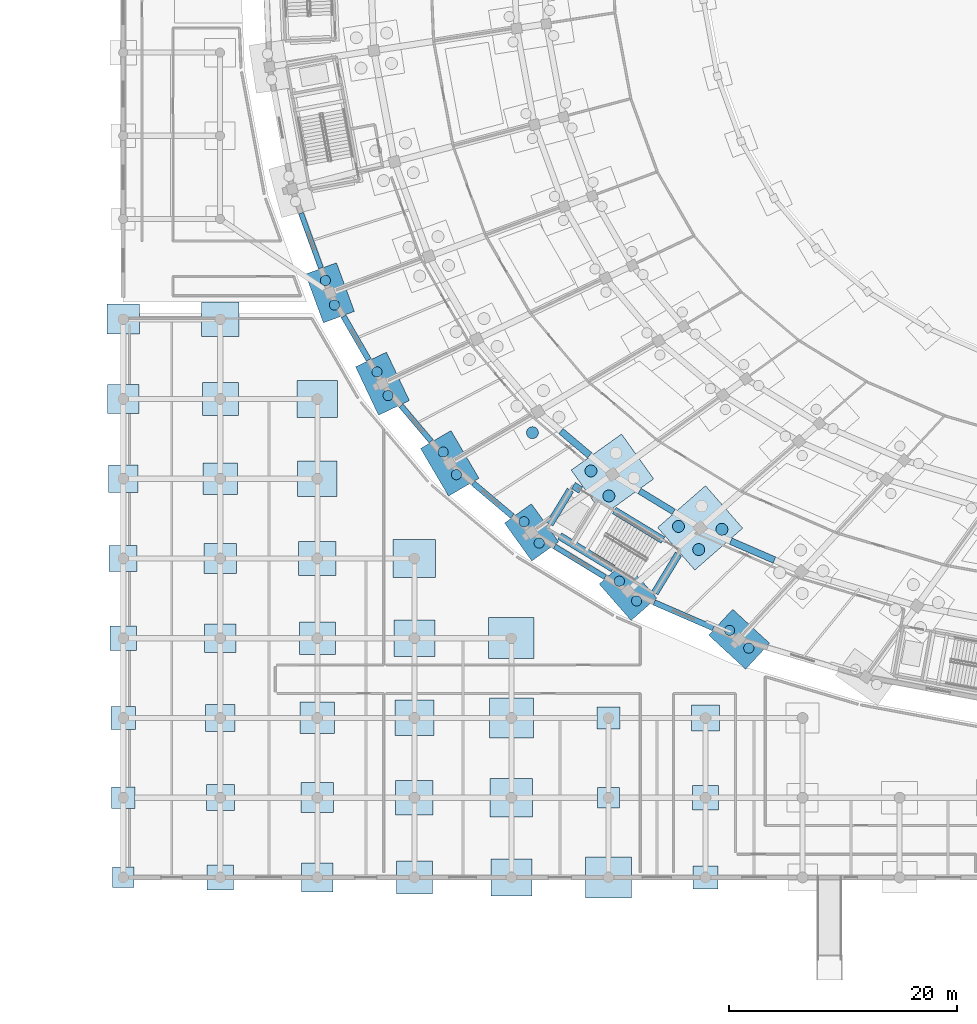
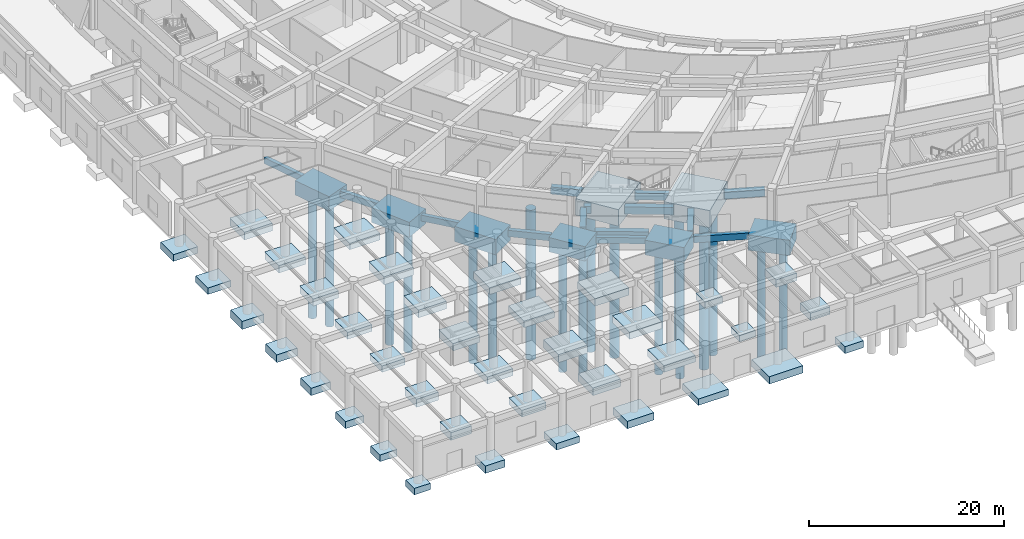
# One storey, part 1 of 88: 60 footings, 18 piles.
"""IFC4 building model written with IfcOpenShell, lengths in metres."""

import ifcopenshell
import ifcopenshell.guid

model = None  # the IFC model being written
_history = None  # IfcOwnerHistory: only IFC2X3 demands one
_inside = {}  # id of a spatial element -> (the spatial element, [elements in it])
_under = {}  # id of a project, library or spatial element -> (it, [spatial elements below it])
_declared = {}  # id of a project -> (the project, [libraries it declares])
_typed = {}  # id of a type object -> (the type object, [elements of that type])
_made_of = {}  # id of a material, layer set ... -> (it, [elements and type objects made of it])


def new_model(schema):
    """Start an empty IFC model of exactly this schema.

    Asked for "IFC4X3", IfcOpenShell would pick the latest addendum, in which some entities
    have other attributes; the version numbers below select the first issue.
    IFC2X3 requires an IfcOwnerHistory on every rooted entity: one is made here for all.
    """
    global model, _history
    if schema == "IFC4X3":
        model = ifcopenshell.file(schema_version=(4, 3, 0, 0))
    else:
        model = ifcopenshell.file(schema=schema)
    _inside.clear()
    _under.clear()
    _declared.clear()
    _typed.clear()
    _made_of.clear()
    _history = None
    if model.schema == "IFC2X3":
        org = make("IfcOrganization", Name="unknown")
        user = make(
            "IfcPersonAndOrganization",
            ThePerson=make("IfcPerson", FamilyName="unknown"),
            TheOrganization=org,
        )
        app = make(
            "IfcApplication",
            ApplicationDeveloper=org,
            Version="unknown",
            ApplicationFullName="unknown",
            ApplicationIdentifier="unknown",
        )
        _history = make(
            "IfcOwnerHistory",
            OwningUser=user,
            OwningApplication=app,
            ChangeAction="ADDED",
            CreationDate=0,
        )
    return model


def make(cls, **values):
    """One entity of the class cls with the attributes given. An attribute that is None is left unset."""
    return model.create_entity(
        cls, **{name: value for name, value in values.items() if value is not None}
    )


def rooted(cls, **values):
    """An entity with a GlobalId (a new one), such as an element, a storey or a relation."""
    return make(cls, GlobalId=ifcopenshell.guid.new(), OwnerHistory=_history, **values)


def si_unit(unit_type, name, prefix=None):
    """IfcSIUnit, for example si_unit("LENGTHUNIT", "METRE", prefix="MILLI")."""
    return make("IfcSIUnit", UnitType=unit_type, Prefix=prefix, Name=name)


def assignment(units):
    """IfcUnitAssignment: the units of a project."""
    return None if units is None else make("IfcUnitAssignment", Units=units)


def point(xyz):
    """IfcCartesianPoint."""
    return None if xyz is None else make("IfcCartesianPoint", Coordinates=xyz)


def direction(xyz):
    """IfcDirection."""
    return None if xyz is None else make("IfcDirection", DirectionRatios=xyz)


def frame(location, z_axis=None, x_axis=None):
    """IfcAxis2Placement3D, a coordinate frame: its origin and axes. An axis left out is left unset."""
    return make(
        "IfcAxis2Placement3D",
        Location=point(location),
        Axis=direction(z_axis),
        RefDirection=direction(x_axis),
    )


def frame_2d(location, x_axis=None):
    """IfcAxis2Placement2D, a coordinate frame in the plane: its origin and x axis."""
    return make(
        "IfcAxis2Placement2D", Location=point(location), RefDirection=direction(x_axis)
    )


def origin():
    """The frame at (0, 0, 0) with its axes left unset."""
    return frame((0.0, 0.0, 0.0))


def origin_2d():
    """The frame at (0, 0) in the plane with its x axis left unset."""
    return frame_2d((0.0, 0.0))


def place(relative_to, where):
    """IfcLocalPlacement: puts the frame where relative to a parent placement (None: the world)."""
    return make(
        "IfcLocalPlacement", PlacementRelTo=relative_to, RelativePlacement=where
    )


def context(
    kind, dimensions, precision=None, world=None, true_north=None, identifier=None
):
    """IfcGeometricRepresentationContext, for example the 3D "Model" context."""
    return make(
        "IfcGeometricRepresentationContext",
        ContextIdentifier=identifier,
        ContextType=kind,
        CoordinateSpaceDimension=dimensions,
        Precision=precision,
        WorldCoordinateSystem=world,
        TrueNorth=true_north,
    )


def subcontext(parent, identifier, kind, view, scale=None):
    """IfcGeometricRepresentationSubContext, for example "Body" below "Model"."""
    return make(
        "IfcGeometricRepresentationSubContext",
        ContextIdentifier=identifier,
        ContextType=kind,
        ParentContext=parent,
        TargetScale=scale,
        TargetView=view,
    )


def project(units=None, contexts=None):
    """IfcProject with its units and contexts."""
    return rooted(
        "IfcProject",
        Name="project",
        RepresentationContexts=contexts,
        UnitsInContext=assignment(units),
    )


def spatial(cls, under=None, at=None, **own):
    """A site, building, storey or space (cls), placed at a placement, below another one or the project."""
    s = rooted(cls, ObjectPlacement=at, **own)
    if under is not None:
        _under.setdefault(under.id(), (under, []))[1].append(s)
    return s


def profile(cls, at=None, kind="AREA", **sizes):
    """A parametric profile (cls). Its sizes go by their IFC names, for example OverallWidth=200.0."""
    return make(cls, ProfileType=kind, Position=at, **sizes)


def rectangle(**sizes):
    """IfcRectangleProfileDef."""
    return profile("IfcRectangleProfileDef", **sizes)


def circle(**sizes):
    """IfcCircleProfileDef."""
    return profile("IfcCircleProfileDef", **sizes)


def extrude(swept, where, along, depth):
    """IfcExtrudedAreaSolid: the profile swept, set in the frame where, extruded along a direction by depth."""
    return make(
        "IfcExtrudedAreaSolid",
        SweptArea=swept,
        Position=where,
        ExtrudedDirection=direction(along),
        Depth=depth,
    )


def shape(context_of_items, identifier, shape_type, items):
    """IfcShapeRepresentation: the items that make up one representation, for example the "Body"."""
    return make(
        "IfcShapeRepresentation",
        ContextOfItems=context_of_items,
        RepresentationIdentifier=identifier,
        RepresentationType=shape_type,
        Items=items,
    )


def material(Name=None, Category=None):
    """IfcMaterial."""
    return make("IfcMaterial", Name=Name, Category=Category)


def material_profile(
    of_material, cross_section, Name=None, Category=None, Priority=None
):
    """IfcMaterialProfile: a cross section and its material."""
    return make(
        "IfcMaterialProfile",
        Name=Name,
        Material=of_material,
        Profile=cross_section,
        Priority=Priority,
        Category=Category,
    )


def profile_set(profiles, Name=None, composite=None):
    """IfcMaterialProfileSet."""
    return make(
        "IfcMaterialProfileSet",
        Name=Name,
        MaterialProfiles=profiles,
        CompositeProfile=composite,
    )


def made_of(thing, what):
    """Note that an element or type object is made of a material, layer set ...; save() writes the relation."""
    if what is not None:
        _made_of.setdefault(what.id(), (what, []))[1].append(thing)
    return thing


def type_object(cls, material=None, **own):
    """A type object (cls), such as IfcWallType, which elements share."""
    return made_of(rooted(cls, **own), material)


def element(
    cls,
    number,
    at=None,
    inside=None,
    cuts=None,
    type_object=None,
    material=None,
    context=None,
    identifier="Body",
    shape_type=None,
    held_by="IfcProductDefinitionShape",
    body=None,
    shapes=None,
    **own,
):
    """One element of the class cls, such as IfcWall. Its Tag is "e" and its number.

    at: its placement. inside: the storey or other place that contains it. cuts: it is an
    opening in that element (IfcRelVoidsElement). A single representation is given by context,
    identifier, shape_type and body (its items); several are given by shapes. held_by: the class
    of the entity that holds the representations. save() writes the other relations.
    """
    e = rooted(cls, Tag="e%d" % number, ObjectPlacement=at, **own)
    if body is not None:
        shapes = [shape(context, identifier, shape_type, body)]
    if shapes is not None:
        e.Representation = make(held_by, Representations=shapes)
    if inside is not None:
        _inside.setdefault(inside.id(), (inside, []))[1].append(e)
    if cuts is not None:
        rooted(
            "IfcRelVoidsElement", RelatingBuildingElement=cuts, RelatedOpeningElement=e
        )
    if type_object is not None:
        _typed.setdefault(type_object.id(), (type_object, []))[1].append(e)
    return made_of(e, material)


def aggregate(whole, parts):
    """IfcRelAggregates: a whole, such as a stair, and the parts it consists of."""
    return rooted("IfcRelAggregates", RelatingObject=whole, RelatedObjects=parts)


def save(model, path):
    """Write the relations noted so far, then the file.

    IfcRelAggregates (storeys below a building ...), IfcRelContainedInSpatialStructure (elements
    in a storey), IfcRelDefinesByType, IfcRelAssociatesMaterial and IfcRelDeclares: one each for
    every whole, place, type object, material and project.
    """
    for whole, parts in _under.values():
        aggregate(whole, parts)
    for where, things in _inside.values():
        rooted(
            "IfcRelContainedInSpatialStructure",
            RelatedElements=things,
            RelatingStructure=where,
        )
    for kind, things in _typed.values():
        rooted("IfcRelDefinesByType", RelatedObjects=things, RelatingType=kind)
    for what, things in _made_of.values():
        rooted("IfcRelAssociatesMaterial", RelatedObjects=things, RelatingMaterial=what)
    for by, libraries in _declared.values():
        rooted("IfcRelDeclares", RelatingContext=by, RelatedDefinitions=libraries)
    model.write(path)


model = new_model("IFC4")

# Units and contexts
model_context = context("Model", 3, precision=1e-05, world=origin(), true_north=direction((0.0, 1.0)))
body_context = subcontext(model_context, "Body", "Model", "MODEL_VIEW")
ifc_project = project(units=[si_unit("LENGTHUNIT", "METRE"), si_unit("AREAUNIT", "SQUARE_METRE"), si_unit("VOLUMEUNIT", "CUBIC_METRE"), si_unit("PLANEANGLEUNIT", "RADIAN"), si_unit("MASSUNIT", "GRAM", prefix="KILO")], contexts=[model_context])

# Site, building, storey
site_placement = place(None, origin())
site = spatial("IfcSite", under=ifc_project, at=site_placement, CompositionType="ELEMENT")
building_placement = place(site_placement, origin())
building = spatial("IfcBuilding", under=site, at=building_placement, Name="Mphavela Belvedere Stadium", CompositionType="ELEMENT")
storey_placement = place(building_placement, origin())
storey = spatial("IfcBuildingStorey", under=building, at=storey_placement, Name="L00", CompositionType="ELEMENT", Elevation=0.0)

# Footings
ifc_material_1 = material(Name="Concrete C35/45", Category="concrete")
footing_type_1 = type_object("IfcFootingType", Name="FTG-CORE-CF02", PredefinedType="PAD_FOOTING", material=ifc_material_1)
footing_1_placement = place(storey_placement, frame((39.83935546875, 34.1953125, -0.89990234375), z_axis=(0.0, 0.0, 1.0), x_axis=(-0.854368143929, 0.519668235165, 0.0)))
element("IfcFooting", 1, at=footing_1_placement, inside=storey, type_object=footing_type_1, Name="Core C10 shear wall foundation pad front seg 2", PredefinedType="PAD_FOOTING", context=body_context, shape_type="SweptSolid", body=[
    extrude(rectangle(XDim=0.75, YDim=0.64990234375, at=origin_2d()), origin(), (0.0, 0.0, 1.0), 0.89990234375),
])
ifc_material_2 = material(Name="Concrete C35/45", Category="concrete")
footing_type_2 = type_object("IfcFootingType", Name="FTG-CORE-CF07", PredefinedType="PAD_FOOTING", material=ifc_material_2)
footing_2_placement = place(storey_placement, frame((38.34326171875, 32.505859375, -0.89990234375), z_axis=(0.0, 0.0, 1.0), x_axis=(-0.519668235165, -0.854368143929, 0.0)))
element("IfcFooting", 2, at=footing_2_placement, inside=storey, type_object=footing_type_2, Name="Core C10 shear wall foundation pad right", PredefinedType="PAD_FOOTING", context=body_context, shape_type="SweptSolid", body=[
    extrude(rectangle(XDim=3.5, YDim=0.64990234375, at=origin_2d()), origin(), (0.0, 0.0, 1.0), 0.89990234375),
])
ifc_material_3 = material(Name="Concrete C35/45", Category="concrete")
footing_type_3 = type_object("IfcFootingType", Name="FTG-CORE-CF09", PredefinedType="PAD_FOOTING", material=ifc_material_3)
footing_3_placement = place(storey_placement, frame((47.695556640625, 26.676025390625, -0.89990234375), z_axis=(0.0, 0.0, 1.0), x_axis=(-0.519668235165, -0.854368143929, 0.0)))
element("IfcFooting", 3, at=footing_3_placement, inside=storey, type_object=footing_type_3, Name="Core C10 shear wall foundation pad left", PredefinedType="PAD_FOOTING", context=body_context, shape_type="SweptSolid", body=[
    extrude(rectangle(XDim=4.0, YDim=0.64990234375, at=origin_2d()), origin(), (0.0, 0.0, 1.0), 0.89990234375),
])
ifc_material_4 = material(Name="Concrete C35/45", Category="concrete")
footing_type_4 = type_object("IfcFootingType", Name="FTG-CORE-CF10", PredefinedType="PAD_FOOTING", material=ifc_material_4)
footing_4_placement = place(storey_placement, frame((45.24072265625, 30.909912109375, -0.89990234375), z_axis=(0.0, 0.0, 1.0), x_axis=(-0.854368143929, 0.519668235165, 0.0)))
element("IfcFooting", 4, at=footing_4_placement, inside=storey, type_object=footing_type_4, Name="Core C10 shear wall foundation pad front seg 1", PredefinedType="PAD_FOOTING", context=body_context, shape_type="SweptSolid", body=[
    extrude(rectangle(XDim=5.0, YDim=0.64990234375, at=origin_2d()), origin(), (0.0, 0.0, 1.0), 0.89990234375),
])
ifc_material_5 = material(Name="Concrete C35/45", Category="concrete")
footing_type_5 = type_object("IfcFootingType", Name="FTG-CORE-CF12", PredefinedType="PAD_FOOTING", material=ifc_material_5)
footing_5_placement = place(storey_placement, frame((40.6572265625, 28.5361328125, -0.89990234375), z_axis=(0.0, 0.0, 1.0), x_axis=(-0.854368143929, 0.519668235165, 0.0)))
element("IfcFooting", 5, at=footing_5_placement, inside=storey, type_object=footing_type_5, Name="Core C10 shear wall foundation pad rear", PredefinedType="PAD_FOOTING", context=body_context, shape_type="SweptSolid", body=[
    extrude(rectangle(XDim=5.5, YDim=0.64990234375, at=origin_2d()), origin(), (0.0, 0.0, 1.0), 0.89990234375),
])
ifc_material_6 = material(Name="Concrete C35/45", Category="concrete")
ifc_material_profile_1 = material_profile(ifc_material_6, rectangle(XDim=0.449951171875, YDim=0.75, at=origin_2d()), Name="GB 450x750")
ifc_profile_set_1 = profile_set([ifc_material_profile_1], Name="Concrete C35/45")
footing_type_6 = type_object("IfcFootingType", Name="FTG-GB-01", PredefinedType="FOOTING_BEAM", material=ifc_profile_set_1)
footing_6_placement = place(storey_placement, frame((15.607177734375, 58.310302734375, -0.5), z_axis=(0.341054931987, -0.940043367812, 0.0), x_axis=(0.940043367812, 0.341054931987, 0.0)))
element("IfcFooting", 6, at=footing_6_placement, inside=storey, type_object=footing_type_6, Name="Ground tie-beam R4-27", PredefinedType="FOOTING_BEAM", context=body_context, shape_type="SweptSolid", body=[
    extrude(rectangle(XDim=0.449951171875, YDim=0.75, at=origin_2d()), origin(), (0.0, 0.0, 1.0), 5.128173828125),
])
footing_7_placement = place(storey_placement, frame((24.38720703125, 41.40869140625, -0.5), z_axis=(0.645171529, -0.764037759648, 0.0), x_axis=(0.764037759648, 0.645171529, 0.0)))
element("IfcFooting", 7, at=footing_7_placement, inside=storey, type_object=footing_type_6, Name="Ground tie-beam R4-29", PredefinedType="FOOTING_BEAM", context=body_context, shape_type="SweptSolid", body=[
    extrude(rectangle(XDim=0.449951171875, YDim=0.75, at=origin_2d()), origin(), (0.0, 0.0, 1.0), 4.09130859375),
])
footing_8_placement = place(storey_placement, frame((37.861083984375, 29.05859375, -0.5), z_axis=(0.854311714945, -0.519760996716, 0.0), x_axis=(0.519760996716, 0.854311714945, 0.0)))
element("IfcFooting", 8, at=footing_8_placement, inside=storey, type_object=footing_type_6, Name="Ground tie-beam R4-31", PredefinedType="FOOTING_BEAM", context=body_context, shape_type="SweptSolid", body=[
    extrude(rectangle(XDim=0.449951171875, YDim=0.75, at=origin_2d()), origin(), (0.0, 0.0, 1.0), 5.206787109375),
])
ifc_material_7 = material(Name="Concrete C35/45", Category="concrete")
ifc_material_profile_2 = material_profile(ifc_material_7, rectangle(XDim=0.5, YDim=0.800048828125, at=origin_2d()), Name="GB 500x800")
ifc_profile_set_2 = profile_set([ifc_material_profile_2], Name="Concrete C35/45")
footing_type_7 = type_object("IfcFootingType", Name="FTG-GB-02", PredefinedType="FOOTING_BEAM", material=ifc_profile_set_2)
footing_9_placement = place(storey_placement, frame((19.33837890625, 49.251708984375, -0.5), z_axis=(0.500548248894, -0.865708640669, 0.0), x_axis=(0.865708640669, 0.500548248894, 0.0)))
element("IfcFooting", 9, at=footing_9_placement, inside=storey, type_object=footing_type_7, Name="Ground tie-beam R4-28", PredefinedType="FOOTING_BEAM", context=body_context, shape_type="SweptSolid", body=[
    extrude(rectangle(XDim=0.5, YDim=0.800048828125, at=origin_2d()), origin(), (0.0, 0.0, 1.0), 4.41796875),
])
footing_10_placement = place(storey_placement, frame((30.721923828125, 34.60791015625, -0.5), z_axis=(0.764266355508, -0.644900719366, 0.0), x_axis=(0.644900719366, 0.764266355508, 0.0)))
element("IfcFooting", 10, at=footing_10_placement, inside=storey, type_object=footing_type_7, Name="Ground tie-beam R4-30", PredefinedType="FOOTING_BEAM", context=body_context, shape_type="SweptSolid", body=[
    extrude(rectangle(XDim=0.5, YDim=0.800048828125, at=origin_2d()), origin(), (0.0, 0.0, 1.0), 4.489501953125),
])
footing_11_placement = place(storey_placement, frame((46.6044921875, 24.1416015625, -0.5), z_axis=(0.917510628495, -0.397711260336, 0.0), x_axis=(0.397711260336, 0.917510628495, 0.0)))
element("IfcFooting", 11, at=footing_11_placement, inside=storey, type_object=footing_type_7, Name="Ground tie-beam R4-32", PredefinedType="FOOTING_BEAM", context=body_context, shape_type="SweptSolid", body=[
    extrude(rectangle(XDim=0.5, YDim=0.800048828125, at=origin_2d()), origin(), (0.0, 0.0, 1.0), 5.67529296875),
])
ifc_material_8 = material(Name="Concrete C35/45", Category="concrete")
ifc_material_profile_3 = material_profile(ifc_material_8, rectangle(XDim=0.550048828125, YDim=0.85009765625, at=origin_2d()), Name="GB 550x850")
ifc_profile_set_3 = profile_set([ifc_material_profile_3], Name="Concrete C35/45")
footing_type_8 = type_object("IfcFootingType", Name="FTG-GB-03", PredefinedType="FOOTING_BEAM", material=ifc_profile_set_3)
footing_12_placement = place(storey_placement, frame((45.31689453125, 33.92138671875, -0.550048828125), z_axis=(0.85433291502, -0.519726149346, 0.0), x_axis=(0.519726149346, 0.85433291502, 0.0)))
element("IfcFooting", 12, at=footing_12_placement, inside=storey, type_object=footing_type_8, Name="Ground tie-beam R3-31", PredefinedType="FOOTING_BEAM", context=body_context, shape_type="SweptSolid", body=[
    extrude(rectangle(XDim=0.550048828125, YDim=0.85009765625, at=origin_2d()), origin(), (0.0, 0.0, 1.0), 3.508056640625),
])
ifc_material_9 = material(Name="Concrete C35/45", Category="concrete")
ifc_material_profile_4 = material_profile(ifc_material_9, rectangle(XDim=0.60009765625, YDim=0.89990234375, at=origin_2d()), Name="GB 600x900")
ifc_profile_set_4 = profile_set([ifc_material_profile_4], Name="Concrete C35/45")
footing_type_9 = type_object("IfcFootingType", Name="FTG-GB-04", PredefinedType="FOOTING_BEAM", material=ifc_profile_set_4)
footing_13_placement = place(storey_placement, frame((38.420654296875, 39.180908203125, -0.550048828125), z_axis=(0.764251649349, -0.644918147106, 0.0), x_axis=(0.644918147106, 0.764251649349, 0.0)))
element("IfcFooting", 13, at=footing_13_placement, inside=storey, type_object=footing_type_9, Name="Ground tie-beam R3-30", PredefinedType="FOOTING_BEAM", context=body_context, shape_type="SweptSolid", body=[
    extrude(rectangle(XDim=0.60009765625, YDim=0.89990234375, at=origin_2d()), origin(), (0.0, 0.0, 1.0), 3.30419921875),
])
footing_14_placement = place(storey_placement, frame((53.322998046875, 29.52001953125, -0.550048828125), z_axis=(0.91749739948, -0.397741777975, 0.0), x_axis=(0.397741777975, 0.91749739948, 0.0)))
element("IfcFooting", 14, at=footing_14_placement, inside=storey, type_object=footing_type_9, Name="Ground tie-beam R3-32", PredefinedType="FOOTING_BEAM", context=body_context, shape_type="SweptSolid", body=[
    extrude(rectangle(XDim=0.60009765625, YDim=0.89990234375, at=origin_2d()), origin(), (0.0, 0.0, 1.0), 4.181884765625),
])
ifc_material_10 = material(Name="Concrete C35/45", Category="concrete")
footing_type_10 = type_object("IfcFootingType", Name="FTG-PAD-01", PredefinedType="PAD_FOOTING", material=ifc_material_10)
for number, where, z_axis, x_axis, name in (
    (15, (0.0, 0.0, -0.7998046875), (0.0, 0.0, 1.0), (1.0, 0.0, 0.0), "South Axial Triumphal Peristyle Portico pad footing 1-1"),
    (16, (42.593017578125, 7.0, -0.7998046875), (0.0, 0.0, 1.0), (1.0, 0.0, 0.0), "South Axial Triumphal Peristyle Portico pad footing 6-2"),
):
    element("IfcFooting", number, at=place(storey_placement, frame(where, z_axis=z_axis, x_axis=x_axis)), inside=storey, type_object=footing_type_10, Name=name, PredefinedType="PAD_FOOTING", context=body_context, shape_type="SweptSolid", body=[
        extrude(rectangle(XDim=1.89990234375, YDim=1.800048828125, at=origin_2d()), origin(), (0.0, 0.0, 1.0), 0.800048828125),
    ])
ifc_material_11 = material(Name="Concrete C35/45", Category="concrete")
footing_type_11 = type_object("IfcFootingType", Name="FTG-PAD-02", PredefinedType="PAD_FOOTING", material=ifc_material_11)
for number, where, z_axis, x_axis, name in (
    (17, (0.0, 7.0, -0.83984375), (0.0, 0.0, 1.0), (1.0, 0.0, 0.0), "South Axial Triumphal Peristyle Portico pad footing 1-2"),
    (18, (42.593017578125, 14.0, -0.83984375), (0.0, 0.0, 1.0), (1.0, 0.0, 0.0), "South Axial Triumphal Peristyle Portico pad footing 6-3"),
):
    element("IfcFooting", number, at=place(storey_placement, frame(where, z_axis=z_axis, x_axis=x_axis)), inside=storey, type_object=footing_type_11, Name=name, PredefinedType="PAD_FOOTING", context=body_context, shape_type="SweptSolid", body=[
        extrude(rectangle(XDim=2.0400390625, YDim=1.919921875, at=origin_2d()), origin(), (0.0, 0.0, 1.0), 0.840087890625),
    ])
ifc_material_12 = material(Name="Concrete C35/45", Category="concrete")
footing_type_12 = type_object("IfcFootingType", Name="FTG-PAD-03", PredefinedType="PAD_FOOTING", material=ifc_material_12)
for number, where, z_axis, x_axis, name in (
    (19, (0.0, 14.0, -0.8798828125), (0.0, 0.0, 1.0), (1.0, 0.0, 0.0), "South Axial Triumphal Peristyle Portico pad footing 1-3"),
    (20, (51.111083984375, 0.0, -0.8798828125), (0.0, 0.0, 1.0), (1.0, 0.0, 0.0), "South Axial Triumphal Peristyle Portico pad footing 7-1"),
):
    element("IfcFooting", number, at=place(storey_placement, frame(where, z_axis=z_axis, x_axis=x_axis)), inside=storey, type_object=footing_type_12, Name=name, PredefinedType="PAD_FOOTING", context=body_context, shape_type="SweptSolid", body=[
        extrude(rectangle(XDim=2.179931640625, YDim=2.0400390625, at=origin_2d()), origin(), (0.0, 0.0, 1.0), 0.8798828125),
    ])
ifc_material_13 = material(Name="Concrete C35/45", Category="concrete")
footing_type_13 = type_object("IfcFootingType", Name="FTG-PAD-04", PredefinedType="PAD_FOOTING", material=ifc_material_13)
for number, where, z_axis, x_axis, name in (
    (21, (0.0, 21.0, -0.919921875), (0.0, 0.0, 1.0), (1.0, 0.0, 0.0), "South Axial Triumphal Peristyle Portico pad footing 1-4"),
    (22, (8.51904296875, 0.0, -0.919921875), (0.0, 0.0, 1.0), (1.0, 0.0, 0.0), "South Axial Triumphal Peristyle Portico pad footing 2-1"),
    (23, (51.111083984375, 7.0, -0.919921875), (0.0, 0.0, 1.0), (1.0, 0.0, 0.0), "South Axial Triumphal Peristyle Portico pad footing 7-2"),
):
    element("IfcFooting", number, at=place(storey_placement, frame(where, z_axis=z_axis, x_axis=x_axis)), inside=storey, type_object=footing_type_13, Name=name, PredefinedType="PAD_FOOTING", context=body_context, shape_type="SweptSolid", body=[
        extrude(rectangle(XDim=2.320068359375, YDim=2.159912109375, at=origin_2d()), origin(), (0.0, 0.0, 1.0), 0.919921875),
    ])
ifc_material_14 = material(Name="Concrete C35/45", Category="concrete")
footing_type_14 = type_object("IfcFootingType", Name="FTG-PAD-05", PredefinedType="PAD_FOOTING", material=ifc_material_14)
for number, where, z_axis, x_axis, name in (
    (24, (0.0, 28.0, -0.9599609375), (0.0, 0.0, 1.0), (1.0, 0.0, 0.0), "South Axial Triumphal Peristyle Portico pad footing 1-5"),
    (25, (8.51904296875, 7.0, -0.9599609375), (0.0, 0.0, 1.0), (1.0, 0.0, 0.0), "South Axial Triumphal Peristyle Portico pad footing 2-2"),
    (26, (51.111083984375, 14.0, -0.9599609375), (0.0, 0.0, 1.0), (1.0, 0.0, 0.0), "South Axial Triumphal Peristyle Portico pad footing 7-3"),
):
    element("IfcFooting", number, at=place(storey_placement, frame(where, z_axis=z_axis, x_axis=x_axis)), inside=storey, type_object=footing_type_14, Name=name, PredefinedType="PAD_FOOTING", context=body_context, shape_type="SweptSolid", body=[
        extrude(rectangle(XDim=2.4599609375, YDim=2.280029296875, at=origin_2d()), origin(), (0.0, 0.0, 1.0), 0.9599609375),
    ])
ifc_material_15 = material(Name="Concrete C35/45", Category="concrete")
footing_type_15 = type_object("IfcFootingType", Name="FTG-PAD-06", PredefinedType="PAD_FOOTING", material=ifc_material_15)
for number, where, z_axis, x_axis, name in (
    (27, (0.0, 35.0, -1.0), (0.0, 0.0, 1.0), (1.0, 0.0, 0.0), "South Axial Triumphal Peristyle Portico pad footing 1-6"),
    (28, (8.51904296875, 14.0, -1.0), (0.0, 0.0, 1.0), (1.0, 0.0, 0.0), "South Axial Triumphal Peristyle Portico pad footing 2-3"),
):
    element("IfcFooting", number, at=place(storey_placement, frame(where, z_axis=z_axis, x_axis=x_axis)), inside=storey, type_object=footing_type_15, Name=name, PredefinedType="PAD_FOOTING", context=body_context, shape_type="SweptSolid", body=[
        extrude(rectangle(XDim=2.60009765625, YDim=2.39990234375, at=origin_2d()), origin(), (0.0, 0.0, 1.0), 1.0),
    ])
ifc_material_16 = material(Name="Concrete C35/45", Category="concrete")
footing_type_16 = type_object("IfcFootingType", Name="FTG-PAD-07", PredefinedType="PAD_FOOTING", material=ifc_material_16)
for number, where, z_axis, x_axis, name in (
    (29, (0.0, 42.0, -0.7998046875), (0.0, 0.0, 1.0), (1.0, 0.0, 0.0), "South Axial Triumphal Peristyle Portico pad footing 1-7"),
    (30, (8.51904296875, 21.0, -0.7998046875), (0.0, 0.0, 1.0), (1.0, 0.0, 0.0), "South Axial Triumphal Peristyle Portico pad footing 2-4"),
    (31, (17.037109375, 0.0, -0.7998046875), (0.0, 0.0, 1.0), (1.0, 0.0, 0.0), "South Axial Triumphal Peristyle Portico pad footing 3-1"),
):
    element("IfcFooting", number, at=place(storey_placement, frame(where, z_axis=z_axis, x_axis=x_axis)), inside=storey, type_object=footing_type_16, Name=name, PredefinedType="PAD_FOOTING", context=body_context, shape_type="SweptSolid", body=[
        extrude(rectangle(XDim=2.739990234375, YDim=2.52001953125, at=origin_2d()), origin(), (0.0, 0.0, 1.0), 0.800048828125),
    ])
ifc_material_17 = material(Name="Concrete C35/45", Category="concrete")
footing_type_17 = type_object("IfcFootingType", Name="FTG-PAD-08", PredefinedType="PAD_FOOTING", material=ifc_material_17)
for number, where, z_axis, x_axis, name in (
    (32, (0.0, 49.0, -0.83984375), (0.0, 0.0, 1.0), (1.0, 0.0, 0.0), "South Axial Triumphal Peristyle Portico pad footing 1-8"),
    (33, (8.51904296875, 28.0, -0.83984375), (0.0, 0.0, 1.0), (1.0, 0.0, 0.0), "South Axial Triumphal Peristyle Portico pad footing 2-5"),
    (34, (17.037109375, 7.0, -0.83984375), (0.0, 0.0, 1.0), (1.0, 0.0, 0.0), "South Axial Triumphal Peristyle Portico pad footing 3-2"),
):
    element("IfcFooting", number, at=place(storey_placement, frame(where, z_axis=z_axis, x_axis=x_axis)), inside=storey, type_object=footing_type_17, Name=name, PredefinedType="PAD_FOOTING", context=body_context, shape_type="SweptSolid", body=[
        extrude(rectangle(XDim=2.8798828125, YDim=2.639892578125, at=origin_2d()), origin(), (0.0, 0.0, 1.0), 0.840087890625),
    ])
ifc_material_18 = material(Name="Concrete C35/45", Category="concrete")
footing_type_18 = type_object("IfcFootingType", Name="FTG-PAD-09", PredefinedType="PAD_FOOTING", material=ifc_material_18)
for number, where, z_axis, x_axis, name in (
    (35, (8.51904296875, 35.0, -0.8798828125), (0.0, 0.0, 1.0), (1.0, 0.0, 0.0), "South Axial Triumphal Peristyle Portico pad footing 2-6"),
    (36, (17.037109375, 14.0, -0.8798828125), (0.0, 0.0, 1.0), (1.0, 0.0, 0.0), "South Axial Triumphal Peristyle Portico pad footing 3-3"),
):
    element("IfcFooting", number, at=place(storey_placement, frame(where, z_axis=z_axis, x_axis=x_axis)), inside=storey, type_object=footing_type_18, Name=name, PredefinedType="PAD_FOOTING", context=body_context, shape_type="SweptSolid", body=[
        extrude(rectangle(XDim=3.02001953125, YDim=2.760009765625, at=origin_2d()), origin(), (0.0, 0.0, 1.0), 0.8798828125),
    ])
ifc_material_19 = material(Name="Concrete C35/45", Category="concrete")
footing_type_19 = type_object("IfcFootingType", Name="FTG-PAD-10", PredefinedType="PAD_FOOTING", material=ifc_material_19)
for number, where, z_axis, x_axis, name in (
    (37, (8.51904296875, 42.0, -0.919921875), (0.0, 0.0, 1.0), (1.0, 0.0, 0.0), "South Axial Triumphal Peristyle Portico pad footing 2-7"),
    (38, (17.037109375, 21.0, -0.919921875), (0.0, 0.0, 1.0), (1.0, 0.0, 0.0), "South Axial Triumphal Peristyle Portico pad footing 3-4"),
    (39, (25.555908203125, 0.0, -0.919921875), (0.0, 0.0, 1.0), (1.0, 0.0, 0.0), "South Axial Triumphal Peristyle Portico pad footing 4-1"),
):
    element("IfcFooting", number, at=place(storey_placement, frame(where, z_axis=z_axis, x_axis=x_axis)), inside=storey, type_object=footing_type_19, Name=name, PredefinedType="PAD_FOOTING", context=body_context, shape_type="SweptSolid", body=[
        extrude(rectangle(XDim=3.159912109375, YDim=2.8798828125, at=origin_2d()), origin(), (0.0, 0.0, 1.0), 0.919921875),
    ])
ifc_material_20 = material(Name="Concrete C35/45", Category="concrete")
footing_type_20 = type_object("IfcFootingType", Name="FTG-PAD-11", PredefinedType="PAD_FOOTING", material=ifc_material_20)
for number, where, z_axis, x_axis, name in (
    (40, (8.51904296875, 49.0, -0.9599609375), (0.0, 0.0, 1.0), (1.0, 0.0, 0.0), "South Axial Triumphal Peristyle Portico pad footing 2-8"),
    (41, (17.037109375, 28.0, -0.9599609375), (0.0, 0.0, 1.0), (1.0, 0.0, 0.0), "South Axial Triumphal Peristyle Portico pad footing 3-5"),
    (42, (25.555908203125, 7.0, -0.9599609375), (0.0, 0.0, 1.0), (1.0, 0.0, 0.0), "South Axial Triumphal Peristyle Portico pad footing 4-2"),
):
    element("IfcFooting", number, at=place(storey_placement, frame(where, z_axis=z_axis, x_axis=x_axis)), inside=storey, type_object=footing_type_20, Name=name, PredefinedType="PAD_FOOTING", context=body_context, shape_type="SweptSolid", body=[
        extrude(rectangle(XDim=3.300048828125, YDim=3.0, at=origin_2d()), origin(), (0.0, 0.0, 1.0), 0.9599609375),
    ])
ifc_material_21 = material(Name="Concrete C35/45", Category="concrete")
footing_type_21 = type_object("IfcFootingType", Name="FTG-PAD-12", PredefinedType="PAD_FOOTING", material=ifc_material_21)
for number, where, z_axis, x_axis, name in (
    (43, (17.037109375, 35.0, -1.0), (0.0, 0.0, 1.0), (1.0, 0.0, 0.0), "South Axial Triumphal Peristyle Portico pad footing 3-6"),
    (44, (25.555908203125, 14.0, -1.0), (0.0, 0.0, 1.0), (1.0, 0.0, 0.0), "South Axial Triumphal Peristyle Portico pad footing 4-3"),
):
    element("IfcFooting", number, at=place(storey_placement, frame(where, z_axis=z_axis, x_axis=x_axis)), inside=storey, type_object=footing_type_21, Name=name, PredefinedType="PAD_FOOTING", context=body_context, shape_type="SweptSolid", body=[
        extrude(rectangle(XDim=3.43994140625, YDim=3.1201171875, at=origin_2d()), origin(), (0.0, 0.0, 1.0), 1.0),
    ])
ifc_material_22 = material(Name="Concrete C35/45", Category="concrete")
footing_type_22 = type_object("IfcFootingType", Name="FTG-PAD-13", PredefinedType="PAD_FOOTING", material=ifc_material_22)
for number, where, z_axis, x_axis, name in (
    (45, (17.037109375, 42.0, -0.7998046875), (0.0, 0.0, 1.0), (1.0, 0.0, 0.0), "South Axial Triumphal Peristyle Portico pad footing 3-7"),
    (46, (25.555908203125, 21.0, -0.7998046875), (0.0, 0.0, 1.0), (1.0, 0.0, 0.0), "South Axial Triumphal Peristyle Portico pad footing 4-4"),
    (47, (34.073974609375, 0.0, -0.7998046875), (0.0, 0.0, 1.0), (1.0, 0.0, 0.0), "South Axial Triumphal Peristyle Portico pad footing 5-1"),
):
    element("IfcFooting", number, at=place(storey_placement, frame(where, z_axis=z_axis, x_axis=x_axis)), inside=storey, type_object=footing_type_22, Name=name, PredefinedType="PAD_FOOTING", context=body_context, shape_type="SweptSolid", body=[
        extrude(rectangle(XDim=3.580078125, YDim=3.239990234375, at=origin_2d()), origin(), (0.0, 0.0, 1.0), 0.800048828125),
    ])
ifc_material_23 = material(Name="Concrete C35/45", Category="concrete")
footing_type_23 = type_object("IfcFootingType", Name="FTG-PAD-14", PredefinedType="PAD_FOOTING", material=ifc_material_23)
for number, where, z_axis, x_axis, name in (
    (48, (25.555908203125, 28.0, -0.83984375), (0.0, 0.0, 1.0), (1.0, 0.0, 0.0), "South Axial Triumphal Peristyle Portico pad footing 4-5"),
    (49, (34.073974609375, 7.0, -0.83984375), (0.0, 0.0, 1.0), (1.0, 0.0, 0.0), "South Axial Triumphal Peristyle Portico pad footing 5-2"),
):
    element("IfcFooting", number, at=place(storey_placement, frame(where, z_axis=z_axis, x_axis=x_axis)), inside=storey, type_object=footing_type_23, Name=name, PredefinedType="PAD_FOOTING", context=body_context, shape_type="SweptSolid", body=[
        extrude(rectangle(XDim=3.719970703125, YDim=3.360107421875, at=origin_2d()), origin(), (0.0, 0.0, 1.0), 0.840087890625),
    ])
ifc_material_24 = material(Name="Concrete C35/45", Category="concrete")
footing_type_24 = type_object("IfcFootingType", Name="FTG-PAD-15", PredefinedType="PAD_FOOTING", material=ifc_material_24)
footing_15_placement = place(storey_placement, frame((34.073974609375, 14.0, -0.8798828125), z_axis=(0.0, 0.0, 1.0), x_axis=(1.0, 0.0, 0.0)))
element("IfcFooting", 50, at=footing_15_placement, inside=storey, type_object=footing_type_24, Name="South Axial Triumphal Peristyle Portico pad footing 5-3", PredefinedType="PAD_FOOTING", context=body_context, shape_type="SweptSolid", body=[
    extrude(rectangle(XDim=3.860107421875, YDim=3.47998046875, at=origin_2d()), origin(), (0.0, 0.0, 1.0), 0.8798828125),
])
ifc_material_25 = material(Name="Concrete C35/45", Category="concrete")
footing_type_25 = type_object("IfcFootingType", Name="FTG-PAD-16", PredefinedType="PAD_FOOTING", material=ifc_material_25)
for number, where, z_axis, x_axis, name in (
    (51, (34.073974609375, 21.0, -0.919921875), (0.0, 0.0, 1.0), (1.0, 0.0, 0.0), "South Axial Triumphal Peristyle Portico pad footing 5-4"),
    (52, (42.593017578125, 0.0, -0.919921875), (0.0, 0.0, 1.0), (1.0, 0.0, 0.0), "South Axial Triumphal Peristyle Portico pad footing 6-1"),
):
    element("IfcFooting", number, at=place(storey_placement, frame(where, z_axis=z_axis, x_axis=x_axis)), inside=storey, type_object=footing_type_25, Name=name, PredefinedType="PAD_FOOTING", context=body_context, shape_type="SweptSolid", body=[
        extrude(rectangle(XDim=4.0, YDim=3.60009765625, at=origin_2d()), origin(), (0.0, 0.0, 1.0), 0.919921875),
    ])
ifc_material_26 = material(Name="Concrete C35/45", Category="concrete")
footing_type_26 = type_object("IfcFootingType", Name="FTG-PC-R3-07", PredefinedType="PILE_CAP", material=ifc_material_26)
footing_16_placement = place(storey_placement, frame((42.938720703125, 35.368408203125, -2.06982421875), z_axis=(0.0, 0.0, 1.0), x_axis=(-0.812897512265, -0.582406760395, 0.0)))
element("IfcFooting", 53, at=footing_16_placement, inside=storey, type_object=footing_type_26, Name="Bowl main pile cap 31", PredefinedType="PILE_CAP", context=body_context, shape_type="SweptSolid", body=[
    extrude(rectangle(XDim=5.43994140625, YDim=4.840087890625, at=origin_2d()), origin(), (0.0, 0.0, 1.0), 2.070068359375),
])
ifc_material_27 = material(Name="Concrete C35/45", Category="concrete")
footing_type_27 = type_object("IfcFootingType", Name="FTG-PC-R3-08", PredefinedType="PILE_CAP", material=ifc_material_27)
footing_17_placement = place(storey_placement, frame((50.639892578125, 30.68310546875, -2.1298828125), z_axis=(0.0, 0.0, 1.0), x_axis=(-0.752529860433, -0.658558128912, 0.0)))
element("IfcFooting", 54, at=footing_17_placement, inside=storey, type_object=footing_type_27, Name="Bowl main pile cap 32", PredefinedType="PILE_CAP", context=body_context, shape_type="SweptSolid", body=[
    extrude(rectangle(XDim=5.580078125, YDim=4.9599609375, at=origin_2d()), origin(), (0.0, 0.0, 1.0), 2.1298828125),
])
ifc_material_28 = material(Name="Concrete C35/45", Category="concrete")
footing_type_28 = type_object("IfcFootingType", Name="FTG-PC-R4-01", PredefinedType="PILE_CAP", material=ifc_material_28)
footing_18_placement = place(storey_placement, frame((35.844482421875, 30.285400390625, -1.7998046875), z_axis=(0.0, 0.0, 1.0), x_axis=(0.582406760395, -0.812897512265, 0.0)))
element("IfcFooting", 55, at=footing_18_placement, inside=storey, type_object=footing_type_28, Name="Perimeter colonnade pile cap 31", PredefinedType="PILE_CAP", context=body_context, shape_type="SweptSolid", body=[
    extrude(rectangle(XDim=4.10009765625, YDim=2.89990234375, at=origin_2d()), origin(), (0.0, 0.0, 1.0), 1.800048828125),
])
ifc_material_29 = material(Name="Concrete C35/45", Category="concrete")
footing_type_29 = type_object("IfcFootingType", Name="FTG-PC-R4-02", PredefinedType="PILE_CAP", material=ifc_material_29)
footing_19_placement = place(storey_placement, frame((44.3037109375, 25.13916015625, -1.85986328125), z_axis=(0.0, 0.0, 1.0), x_axis=(0.658558128912, -0.752529860433, 0.0)))
element("IfcFooting", 56, at=footing_19_placement, inside=storey, type_object=footing_type_29, Name="Perimeter colonnade pile cap 32", PredefinedType="PILE_CAP", context=body_context, shape_type="SweptSolid", body=[
    extrude(rectangle(XDim=4.25, YDim=3.0, at=origin_2d()), origin(), (0.0, 0.0, 1.0), 1.860107421875),
])
ifc_material_30 = material(Name="Concrete C35/45", Category="concrete")
footing_type_30 = type_object("IfcFootingType", Name="FTG-PC-R4-03", PredefinedType="PILE_CAP", material=ifc_material_30)
footing_20_placement = place(storey_placement, frame((54.0625, 20.90869140625, -1.919921875), z_axis=(0.0, 0.0, 1.0), x_axis=(0.735151272753, -0.677903094969, 0.0)))
element("IfcFooting", 57, at=footing_20_placement, inside=storey, type_object=footing_type_30, Name="Perimeter colonnade pile cap 33", PredefinedType="PILE_CAP", context=body_context, shape_type="SweptSolid", body=[
    extrude(rectangle(XDim=4.39990234375, YDim=3.10009765625, at=origin_2d()), origin(), (0.0, 0.0, 1.0), 1.919921875),
])
ifc_material_31 = material(Name="Concrete C35/45", Category="concrete")
footing_type_31 = type_object("IfcFootingType", Name="FTG-PC-R4-04", PredefinedType="PILE_CAP", material=ifc_material_31)
footing_21_placement = place(storey_placement, frame((18.143798828125, 51.317626953125, -1.7998046875), z_axis=(0.0, 0.0, 1.0), x_axis=(0.34562577382, -0.938372433776, 0.0)))
element("IfcFooting", 58, at=footing_21_placement, inside=storey, type_object=footing_type_31, Name="Perimeter colonnade pile cap 28", PredefinedType="PILE_CAP", context=body_context, shape_type="SweptSolid", body=[
    extrude(rectangle(XDim=4.550048828125, YDim=2.89990234375, at=origin_2d()), origin(), (0.0, 0.0, 1.0), 1.800048828125),
])
ifc_material_32 = material(Name="Concrete C35/45", Category="concrete")
footing_type_32 = type_object("IfcFootingType", Name="FTG-PC-R4-05", PredefinedType="PILE_CAP", material=ifc_material_32)
footing_22_placement = place(storey_placement, frame((22.757568359375, 43.33837890625, -1.85986328125), z_axis=(0.0, 0.0, 1.0), x_axis=(0.4278311813, -0.903858661687, 0.0)))
element("IfcFooting", 59, at=footing_22_placement, inside=storey, type_object=footing_type_32, Name="Perimeter colonnade pile cap 29", PredefinedType="PILE_CAP", context=body_context, shape_type="SweptSolid", body=[
    extrude(rectangle(XDim=4.699951171875, YDim=3.0, at=origin_2d()), origin(), (0.0, 0.0, 1.0), 1.860107421875),
])
ifc_material_33 = material(Name="Concrete C35/45", Category="concrete")
footing_type_33 = type_object("IfcFootingType", Name="FTG-PC-R4-06", PredefinedType="PILE_CAP", material=ifc_material_33)
footing_23_placement = place(storey_placement, frame((28.66162109375, 36.346435546875, -1.919921875), z_axis=(0.0, 0.0, 1.0), x_axis=(0.506033764121, -0.862513669207, 0.0)))
element("IfcFooting", 60, at=footing_23_placement, inside=storey, type_object=footing_type_33, Name="Perimeter colonnade pile cap 30", PredefinedType="PILE_CAP", context=body_context, shape_type="SweptSolid", body=[
    extrude(rectangle(XDim=4.85009765625, YDim=3.10009765625, at=origin_2d()), origin(), (0.0, 0.0, 1.0), 1.919921875),
])

# Piles
ifc_material_34 = material(Name="Concrete C35/45", Category="concrete")
ifc_material_profile_5 = material_profile(ifc_material_34, circle(Radius=0.52490234375, at=origin_2d()), Name="BP D1050")
ifc_profile_set_5 = profile_set([ifc_material_profile_5], Name="Concrete C35/45")
pile_type_1 = type_object("IfcPileType", Name="PIL-BP1050-A", PredefinedType="BORED", material=ifc_profile_set_5)
for number, where, z_axis, x_axis, name in (
    (61, (41.054931640625, 35.679443359375, -1.969970703125), (0.0, 0.0, -1.0), (1.0, 0.0, 0.0), "Bored pile R3-31-3"),
    (62, (42.62744140625, 33.484619140625, -1.969970703125), (0.0, 0.0, -1.0), (1.0, 0.0, 0.0), "Bored pile R3-31-4"),
):
    element("IfcPile", number, at=place(storey_placement, frame(where, z_axis=z_axis, x_axis=x_axis)), inside=storey, type_object=pile_type_1, Name=name, PredefinedType="BORED", context=body_context, shape_type="SweptSolid", body=[
        extrude(circle(Radius=0.52490234375, at=origin_2d()), origin(), (0.0, 0.0, 1.0), 17.5),
    ])
ifc_material_35 = material(Name="Concrete C35/45", Category="concrete")
ifc_material_profile_6 = material_profile(ifc_material_35, circle(Radius=0.52490234375, at=origin_2d()), Name="BP D1050")
ifc_profile_set_6 = profile_set([ifc_material_profile_6], Name="Concrete C35/45")
pile_type_2 = type_object("IfcPileType", Name="PIL-BP1050-B", PredefinedType="BORED", material=ifc_profile_set_6)
for number, where, z_axis, x_axis, name in (
    (63, (35.918212890625, 39.038818359375, -1.909912109375), (0.0, 0.0, -1.0), (1.0, 0.0, 0.0), "Bored pile R3-30-4"),
    (64, (52.544921875, 30.55615234375, -2.030029296875), (0.0, 0.0, -1.0), (1.0, 0.0, 0.0), "Bored pile R3-32-2"),
    (65, (48.73486328125, 30.810302734375, -2.030029296875), (0.0, 0.0, -1.0), (1.0, 0.0, 0.0), "Bored pile R3-32-3"),
    (66, (50.5126953125, 28.7783203125, -2.030029296875), (0.0, 0.0, -1.0), (1.0, 0.0, 0.0), "Bored pile R3-32-4"),
):
    element("IfcPile", number, at=place(storey_placement, frame(where, z_axis=z_axis, x_axis=x_axis)), inside=storey, type_object=pile_type_2, Name=name, PredefinedType="BORED", context=body_context, shape_type="SweptSolid", body=[
        extrude(circle(Radius=0.52490234375, at=origin_2d()), origin(), (0.0, 0.0, 1.0), 18.800048828125),
    ])
ifc_material_36 = material(Name="Concrete C35/45", Category="concrete")
ifc_material_profile_7 = material_profile(ifc_material_36, circle(Radius=0.449951171875, at=origin_2d()), Name="BP D900")
ifc_profile_set_7 = profile_set([ifc_material_profile_7], Name="Concrete C35/45")
pile_type_3 = type_object("IfcPileType", Name="PIL-BP900-A", PredefinedType="BORED", material=ifc_profile_set_7)
for number, where, z_axis, x_axis, name in (
    (67, (17.746337890625, 52.396728515625, -1.699951171875), (0.0, 0.0, -1.0), (1.0, 0.0, 0.0), "Bored pile R4-28-1"),
    (68, (18.54150390625, 50.238525390625, -1.699951171875), (0.0, 0.0, -1.0), (1.0, 0.0, 0.0), "Bored pile R4-28-2"),
    (69, (22.265380859375, 44.3779296875, -1.760009765625), (0.0, 0.0, -1.0), (1.0, 0.0, 0.0), "Bored pile R4-29-1"),
    (70, (23.24951171875, 42.299072265625, -1.760009765625), (0.0, 0.0, -1.0), (1.0, 0.0, 0.0), "Bored pile R4-29-2"),
    (71, (28.079833984375, 37.33837890625, -1.820068359375), (0.0, 0.0, -1.0), (1.0, 0.0, 0.0), "Bored pile R4-30-1"),
    (72, (29.24365234375, 35.3544921875, -1.820068359375), (0.0, 0.0, -1.0), (1.0, 0.0, 0.0), "Bored pile R4-30-2"),
    (73, (35.174560546875, 31.22021484375, -1.699951171875), (0.0, 0.0, -1.0), (1.0, 0.0, 0.0), "Bored pile R4-31-1"),
    (74, (36.51416015625, 29.3505859375, -1.699951171875), (0.0, 0.0, -1.0), (1.0, 0.0, 0.0), "Bored pile R4-31-2"),
    (75, (43.54638671875, 26.004638671875, -1.760009765625), (0.0, 0.0, -1.0), (1.0, 0.0, 0.0), "Bored pile R4-32-1"),
    (76, (45.06103515625, 24.273681640625, -1.760009765625), (0.0, 0.0, -1.0), (1.0, 0.0, 0.0), "Bored pile R4-32-2"),
    (77, (53.216796875, 21.688232421875, -1.820068359375), (0.0, 0.0, -1.0), (1.0, 0.0, 0.0), "Bored pile R4-33-1"),
    (78, (54.907958984375, 20.129150390625, -1.820068359375), (0.0, 0.0, -1.0), (1.0, 0.0, 0.0), "Bored pile R4-33-2"),
):
    element("IfcPile", number, at=place(storey_placement, frame(where, z_axis=z_axis, x_axis=x_axis)), inside=storey, type_object=pile_type_3, Name=name, PredefinedType="BORED", context=body_context, shape_type="SweptSolid", body=[
        extrude(circle(Radius=0.449951171875, at=origin_2d()), origin(), (0.0, 0.0, 1.0), 15.60009765625),
    ])

save(model, "model.ifc")
